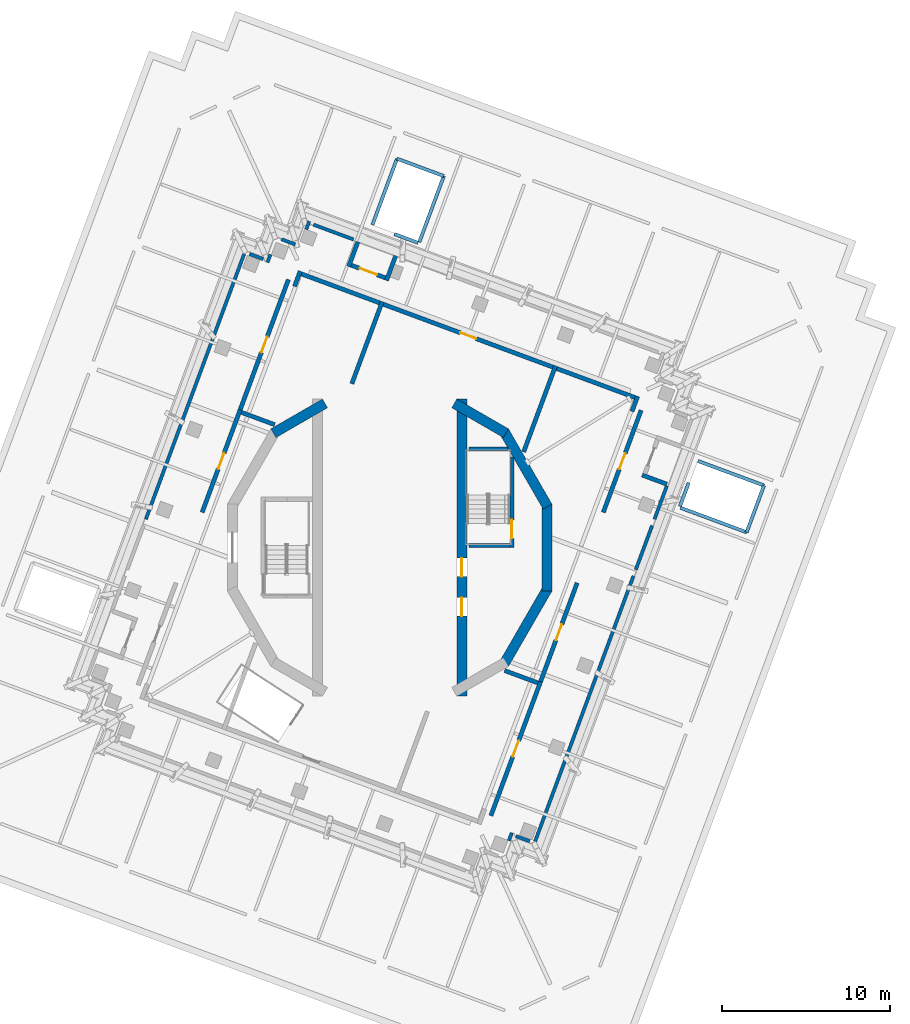
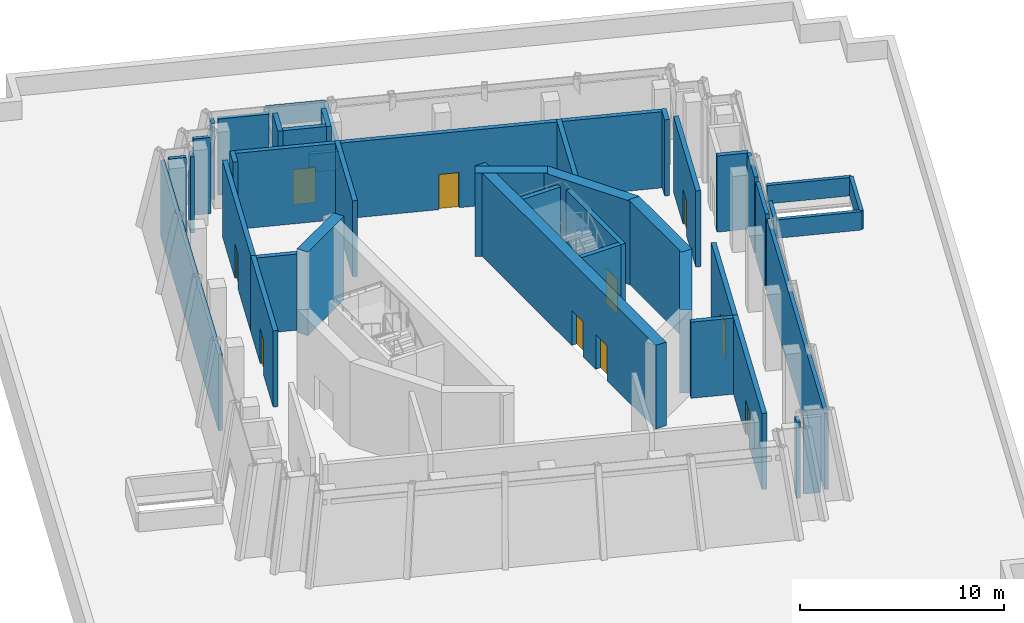
# One storey, part 6 of 12: 46 walls, 10 doors, 10 openings.
"""IFC4 building model written with IfcOpenShell, lengths in metres."""

import ifcopenshell
import ifcopenshell.guid

model = None  # the IFC model being written
_history = None  # IfcOwnerHistory: only IFC2X3 demands one
_inside = {}  # id of a spatial element -> (the spatial element, [elements in it])
_under = {}  # id of a project, library or spatial element -> (it, [spatial elements below it])
_declared = {}  # id of a project -> (the project, [libraries it declares])
_typed = {}  # id of a type object -> (the type object, [elements of that type])
_made_of = {}  # id of a material, layer set ... -> (it, [elements and type objects made of it])


def new_model(schema):
    """Start an empty IFC model of exactly this schema.

    Asked for "IFC4X3", IfcOpenShell would pick the latest addendum, in which some entities
    have other attributes; the version numbers below select the first issue.
    IFC2X3 requires an IfcOwnerHistory on every rooted entity: one is made here for all.
    """
    global model, _history
    if schema == "IFC4X3":
        model = ifcopenshell.file(schema_version=(4, 3, 0, 0))
    else:
        model = ifcopenshell.file(schema=schema)
    _inside.clear()
    _under.clear()
    _declared.clear()
    _typed.clear()
    _made_of.clear()
    _history = None
    if model.schema == "IFC2X3":
        org = make("IfcOrganization", Name="unknown")
        user = make(
            "IfcPersonAndOrganization",
            ThePerson=make("IfcPerson", FamilyName="unknown"),
            TheOrganization=org,
        )
        app = make(
            "IfcApplication",
            ApplicationDeveloper=org,
            Version="unknown",
            ApplicationFullName="unknown",
            ApplicationIdentifier="unknown",
        )
        _history = make(
            "IfcOwnerHistory",
            OwningUser=user,
            OwningApplication=app,
            ChangeAction="ADDED",
            CreationDate=0,
        )
    return model


def make(cls, **values):
    """One entity of the class cls with the attributes given. An attribute that is None is left unset."""
    return model.create_entity(
        cls, **{name: value for name, value in values.items() if value is not None}
    )


def rooted(cls, **values):
    """An entity with a GlobalId (a new one), such as an element, a storey or a relation."""
    return make(cls, GlobalId=ifcopenshell.guid.new(), OwnerHistory=_history, **values)


def si_unit(unit_type, name, prefix=None):
    """IfcSIUnit, for example si_unit("LENGTHUNIT", "METRE", prefix="MILLI")."""
    return make("IfcSIUnit", UnitType=unit_type, Prefix=prefix, Name=name)


def assignment(units):
    """IfcUnitAssignment: the units of a project."""
    return None if units is None else make("IfcUnitAssignment", Units=units)


def point(xyz):
    """IfcCartesianPoint."""
    return None if xyz is None else make("IfcCartesianPoint", Coordinates=xyz)


def direction(xyz):
    """IfcDirection."""
    return None if xyz is None else make("IfcDirection", DirectionRatios=xyz)


def frame(location, z_axis=None, x_axis=None):
    """IfcAxis2Placement3D, a coordinate frame: its origin and axes. An axis left out is left unset."""
    return make(
        "IfcAxis2Placement3D",
        Location=point(location),
        Axis=direction(z_axis),
        RefDirection=direction(x_axis),
    )


def frame_2d(location, x_axis=None):
    """IfcAxis2Placement2D, a coordinate frame in the plane: its origin and x axis."""
    return make(
        "IfcAxis2Placement2D", Location=point(location), RefDirection=direction(x_axis)
    )


def origin():
    """The frame at (0, 0, 0) with its axes left unset."""
    return frame((0.0, 0.0, 0.0))


def place(relative_to, where):
    """IfcLocalPlacement: puts the frame where relative to a parent placement (None: the world)."""
    return make(
        "IfcLocalPlacement", PlacementRelTo=relative_to, RelativePlacement=where
    )


def context(
    kind, dimensions, precision=None, world=None, true_north=None, identifier=None
):
    """IfcGeometricRepresentationContext, for example the 3D "Model" context."""
    return make(
        "IfcGeometricRepresentationContext",
        ContextIdentifier=identifier,
        ContextType=kind,
        CoordinateSpaceDimension=dimensions,
        Precision=precision,
        WorldCoordinateSystem=world,
        TrueNorth=true_north,
    )


def subcontext(parent, identifier, kind, view, scale=None):
    """IfcGeometricRepresentationSubContext, for example "Body" below "Model"."""
    return make(
        "IfcGeometricRepresentationSubContext",
        ContextIdentifier=identifier,
        ContextType=kind,
        ParentContext=parent,
        TargetScale=scale,
        TargetView=view,
    )


def project(units=None, contexts=None):
    """IfcProject with its units and contexts."""
    return rooted(
        "IfcProject",
        Name="project",
        RepresentationContexts=contexts,
        UnitsInContext=assignment(units),
    )


def spatial(cls, under=None, at=None, **own):
    """A site, building, storey or space (cls), placed at a placement, below another one or the project."""
    s = rooted(cls, ObjectPlacement=at, **own)
    if under is not None:
        _under.setdefault(under.id(), (under, []))[1].append(s)
    return s


def profile(cls, at=None, kind="AREA", **sizes):
    """A parametric profile (cls). Its sizes go by their IFC names, for example OverallWidth=200.0."""
    return make(cls, ProfileType=kind, Position=at, **sizes)


def rectangle(**sizes):
    """IfcRectangleProfileDef."""
    return profile("IfcRectangleProfileDef", **sizes)


def extrude(swept, where, along, depth):
    """IfcExtrudedAreaSolid: the profile swept, set in the frame where, extruded along a direction by depth."""
    return make(
        "IfcExtrudedAreaSolid",
        SweptArea=swept,
        Position=where,
        ExtrudedDirection=direction(along),
        Depth=depth,
    )


def shape(context_of_items, identifier, shape_type, items):
    """IfcShapeRepresentation: the items that make up one representation, for example the "Body"."""
    return make(
        "IfcShapeRepresentation",
        ContextOfItems=context_of_items,
        RepresentationIdentifier=identifier,
        RepresentationType=shape_type,
        Items=items,
    )


def material(Name=None, Category=None):
    """IfcMaterial."""
    return make("IfcMaterial", Name=Name, Category=Category)


def layer(
    of_material, thickness, ventilated=None, Name=None, Category=None, Priority=None
):
    """IfcMaterialLayer: one layer of a wall or slab, of a material (None: an air gap)."""
    return make(
        "IfcMaterialLayer",
        Material=of_material,
        LayerThickness=thickness,
        IsVentilated=ventilated,
        Name=Name,
        Category=Category,
        Priority=Priority,
    )


def layer_set(layers, Name=None):
    """IfcMaterialLayerSet."""
    return make("IfcMaterialLayerSet", MaterialLayers=layers, LayerSetName=Name)


def made_of(thing, what):
    """Note that an element or type object is made of a material, layer set ...; save() writes the relation."""
    if what is not None:
        _made_of.setdefault(what.id(), (what, []))[1].append(thing)
    return thing


def type_object(cls, material=None, **own):
    """A type object (cls), such as IfcWallType, which elements share."""
    return made_of(rooted(cls, **own), material)


def element(
    cls,
    number,
    at=None,
    inside=None,
    cuts=None,
    type_object=None,
    material=None,
    context=None,
    identifier="Body",
    shape_type=None,
    held_by="IfcProductDefinitionShape",
    body=None,
    shapes=None,
    **own,
):
    """One element of the class cls, such as IfcWall. Its Tag is "e" and its number.

    at: its placement. inside: the storey or other place that contains it. cuts: it is an
    opening in that element (IfcRelVoidsElement). A single representation is given by context,
    identifier, shape_type and body (its items); several are given by shapes. held_by: the class
    of the entity that holds the representations. save() writes the other relations.
    """
    e = rooted(cls, Tag="e%d" % number, ObjectPlacement=at, **own)
    if body is not None:
        shapes = [shape(context, identifier, shape_type, body)]
    if shapes is not None:
        e.Representation = make(held_by, Representations=shapes)
    if inside is not None:
        _inside.setdefault(inside.id(), (inside, []))[1].append(e)
    if cuts is not None:
        rooted(
            "IfcRelVoidsElement", RelatingBuildingElement=cuts, RelatedOpeningElement=e
        )
    if type_object is not None:
        _typed.setdefault(type_object.id(), (type_object, []))[1].append(e)
    return made_of(e, material)


def fill(opening, filler):
    """IfcRelFillsElement: the door or window that sits in an opening."""
    return rooted(
        "IfcRelFillsElement",
        RelatingOpeningElement=opening,
        RelatedBuildingElement=filler,
    )


def aggregate(whole, parts):
    """IfcRelAggregates: a whole, such as a stair, and the parts it consists of."""
    return rooted("IfcRelAggregates", RelatingObject=whole, RelatedObjects=parts)


def save(model, path):
    """Write the relations noted so far, then the file.

    IfcRelAggregates (storeys below a building ...), IfcRelContainedInSpatialStructure (elements
    in a storey), IfcRelDefinesByType, IfcRelAssociatesMaterial and IfcRelDeclares: one each for
    every whole, place, type object, material and project.
    """
    for whole, parts in _under.values():
        aggregate(whole, parts)
    for where, things in _inside.values():
        rooted(
            "IfcRelContainedInSpatialStructure",
            RelatedElements=things,
            RelatingStructure=where,
        )
    for kind, things in _typed.values():
        rooted("IfcRelDefinesByType", RelatedObjects=things, RelatingType=kind)
    for what, things in _made_of.values():
        rooted("IfcRelAssociatesMaterial", RelatedObjects=things, RelatingMaterial=what)
    for by, libraries in _declared.values():
        rooted("IfcRelDeclares", RelatingContext=by, RelatedDefinitions=libraries)
    model.write(path)


model = new_model("IFC4")

# Units and contexts
model_context = context("Model", 3, precision=1e-05, world=origin(), true_north=direction((0.0, 1.0)))
body_context = subcontext(model_context, "Body", "Model", "MODEL_VIEW")
ifc_project = project(units=[si_unit("LENGTHUNIT", "METRE"), si_unit("AREAUNIT", "SQUARE_METRE"), si_unit("VOLUMEUNIT", "CUBIC_METRE"), si_unit("PLANEANGLEUNIT", "RADIAN"), si_unit("MASSUNIT", "GRAM", prefix="KILO")], contexts=[model_context])

# Site, building, storey
site_placement = place(None, origin())
site = spatial("IfcSite", under=ifc_project, at=site_placement, CompositionType="ELEMENT")
building_placement = place(site_placement, origin())
building = spatial("IfcBuilding", under=site, at=building_placement, Name="Cantera Rosa Tower", CompositionType="ELEMENT")
storey_placement = place(building_placement, frame((0.0, 0.0, 345.699951171875)))
storey = spatial("IfcBuildingStorey", under=building, at=storey_placement, Name="L78", CompositionType="ELEMENT", Elevation=345.699951171875)

# Walls
ifc_material_1 = material(Name="Masonry blockwork", Category="masonry")
ifc_layer_1 = layer(ifc_material_1, 0.199951171875)
ifc_layer_set_1 = layer_set([ifc_layer_1], Name="Blockwork partition 200")
wall_type_1 = type_object("IfcWallType", Name="Blockwork partition 200", PredefinedType="PARTITIONING", material=ifc_layer_set_1)
wall_1_placement = place(storey_placement, frame((-4.96337890625, 18.94140625, 0.0), z_axis=(0.0, 0.0, 1.0), x_axis=(0.347391322771, 0.937720250855, 0.0)))
element("IfcWall", 1, at=wall_1_placement, inside=storey, type_object=wall_type_1, Name="Partition L78-27", PredefinedType="PARTITIONING", context=body_context, shape_type="SweptSolid", body=[
    extrude(rectangle(XDim=0.5166015625, YDim=0.199951171875, at=frame_2d((0.25830078125, 0.0))), origin(), (0.0, 0.0, 1.0), 4.550048828125),
])
wall_2_placement = place(storey_placement, frame((-7.273681640625, 16.978515625, 0.0), z_axis=(0.0, 0.0, 1.0), x_axis=(0.347647820555, 0.937625187836, 0.0)))
element("IfcWall", 2, at=wall_2_placement, inside=storey, type_object=wall_type_1, Name="Partition L78-32", PredefinedType="PARTITIONING", context=body_context, shape_type="SweptSolid", body=[
    extrude(rectangle(XDim=0.500732421875, YDim=0.199951171875, at=frame_2d((0.25048828125, 0.0))), origin(), (0.0, 0.0, 1.0), 4.550048828125),
])
wall_3_placement = place(storey_placement, frame((8.341552734375, -17.480712890625, 0.0), z_axis=(0.0, 0.0, 1.0), x_axis=(-0.937735373465, 0.347350499283, 0.0)))
element("IfcWall", 3, at=wall_3_placement, inside=storey, type_object=wall_type_1, Name="Partition L78-33", PredefinedType="PARTITIONING", context=body_context, shape_type="SweptSolid", body=[
    extrude(rectangle(XDim=0.8798828125, YDim=0.199951171875, at=frame_2d((0.43994140625, 0.0))), origin(), (0.0, 0.0, 1.0), 4.550048828125),
])
wall_4_placement = place(storey_placement, frame((-14.513916015625, 1.6875, 0.0), z_axis=(0.0, 0.0, 1.0), x_axis=(0.347469570456, 0.937691259214, 0.0)))
element("IfcWall", 4, at=wall_4_placement, inside=storey, type_object=wall_type_1, Name="Partition L78-38", PredefinedType="PARTITIONING", context=body_context, shape_type="SweptSolid", body=[
    extrude(rectangle(XDim=16.853759765625, YDim=0.199951171875, at=frame_2d((8.4267578125, 0.0))), origin(), (0.0, 0.0, 1.0), 4.550048828125),
])
wall_5_placement = place(storey_placement, frame((-7.52001953125, 17.176513671875, 0.0), z_axis=(0.0, 0.0, 1.0), x_axis=(-0.937775651537, 0.347241741996, 0.0)))
element("IfcWall", 5, at=wall_5_placement, inside=storey, type_object=wall_type_1, Name="Partition L78-42", PredefinedType="PARTITIONING", context=body_context, shape_type="SweptSolid", body=[
    extrude(rectangle(XDim=0.8759765625, YDim=0.199951171875, at=frame_2d((0.43798828125, 0.0))), origin(), (0.0, 0.0, 1.0), 4.550048828125),
])
wall_6_placement = place(storey_placement, frame((-5.6142578125, 18.048583984375, 0.0), z_axis=(0.0, 0.0, 1.0), x_axis=(-0.937695442281, 0.347458281705, 0.0)))
element("IfcWall", 6, at=wall_6_placement, inside=storey, type_object=wall_type_1, Name="Partition L78-45", PredefinedType="PARTITIONING", context=body_context, shape_type="SweptSolid", body=[
    extrude(rectangle(XDim=0.884033203125, YDim=0.199951171875, at=frame_2d((0.44189453125, 0.0))), origin(), (0.0, 0.0, 1.0), 4.550048828125),
])
wall_7_placement = place(storey_placement, frame((-2.159423828125, 18.3466796875, 0.0), z_axis=(0.0, 0.0, 1.0), x_axis=(-0.937698814504, 0.347449180857, 0.0)))
element("IfcWall", 7, at=wall_7_placement, inside=storey, type_object=wall_type_1, Name="Partition L78-47", PredefinedType="PARTITIONING", context=body_context, shape_type="SweptSolid", body=[
    extrude(rectangle(XDim=2.535888671875, YDim=0.199951171875, at=frame_2d((1.26806640625, 0.0))), origin(), (0.0, 0.0, 1.0), 4.550048828125),
])
wall_8_placement = place(storey_placement, frame((7.095703125, -17.44677734375, 0.0), z_axis=(0.0, 0.0, 1.0), x_axis=(0.347488953483, 0.937684076439, 0.0)))
element("IfcWall", 8, at=wall_8_placement, inside=storey, type_object=wall_type_1, Name="Partition L78-50", PredefinedType="PARTITIONING", context=body_context, shape_type="SweptSolid", body=[
    extrude(rectangle(XDim=0.5009765625, YDim=0.199951171875, at=frame_2d((0.25048828125, 0.0))), origin(), (0.0, 0.0, 1.0), 4.550048828125),
])
wall_9_placement = place(storey_placement, frame((8.65771484375, -17.4912109375, 0.0), z_axis=(0.0, 0.0, 1.0), x_axis=(0.347469570456, 0.937691259214, 0.0)))
element("IfcWall", 9, at=wall_9_placement, inside=storey, type_object=wall_type_1, Name="Partition L78-53", PredefinedType="PARTITIONING", context=body_context, shape_type="SweptSolid", body=[
    extrude(rectangle(XDim=16.853759765625, YDim=0.199951171875, at=frame_2d((8.4267578125, 0.0))), origin(), (0.0, 0.0, 1.0), 4.550048828125),
])
wall_10_placement = place(storey_placement, frame((14.653076171875, -1.3125, 0.0), z_axis=(0.0, 0.0, 1.0), x_axis=(0.347450692477, 0.937698254396, 0.0)))
element("IfcWall", 10, at=wall_10_placement, inside=storey, type_object=wall_type_1, Name="Partition L78-54", PredefinedType="PARTITIONING", context=body_context, shape_type="SweptSolid", body=[
    extrude(rectangle(XDim=2.79931640625, YDim=0.199951171875, at=frame_2d((1.399658203125, 0.0))), origin(), (0.0, 0.0, 1.0), 4.550048828125),
])
wall_11_placement = place(storey_placement, frame((15.7646484375, 1.6875, 0.0), z_axis=(0.0, 0.0, 1.0), x_axis=(0.347502354317, 0.937679110221, 0.0)))
element("IfcWall", 11, at=wall_11_placement, inside=storey, type_object=wall_type_1, Name="Partition L78-55", PredefinedType="PARTITIONING", context=body_context, shape_type="SweptSolid", body=[
    extrude(rectangle(XDim=2.11474609375, YDim=0.199951171875, at=frame_2d((1.057373046875, 0.0))), origin(), (0.0, 0.0, 1.0), 4.550048828125),
])
ifc_material_2 = material(Name="Masonry blockwork", Category="masonry")
ifc_layer_2 = layer(ifc_material_2, 0.25)
ifc_layer_set_2 = layer_set([ifc_layer_2], Name="Fire-rated wall 250")
wall_type_2 = type_object("IfcWallType", Name="Fire-rated wall 250", PredefinedType="PARTITIONING", material=ifc_layer_set_2)
wall_12_placement = place(storey_placement, frame((-2.2490234375, 9.75927734375, 0.0), z_axis=(0.0, 0.0, 1.0), x_axis=(0.347483812333, 0.937685981641, 0.0)))
element("IfcWall", 12, at=wall_12_placement, inside=storey, type_object=wall_type_2, Name="Fire wall L78-2", PredefinedType="PARTITIONING", context=body_context, shape_type="SweptSolid", body=[
    extrude(rectangle(XDim=5.208251953125, YDim=0.25, at=frame_2d((2.60400390625, 0.0))), origin(), (0.0, 0.0, 1.0), 4.550048828125),
])
wall_13_placement = place(storey_placement, frame((-5.6591796875, 15.5546875, 0.0), z_axis=(0.0, 0.0, 1.0), x_axis=(0.347438702841, 0.937702696897, 0.0)))
element("IfcWall", 13, at=wall_13_placement, inside=storey, type_object=wall_type_2, Name="Fire wall L78-7", PredefinedType="PARTITIONING", context=body_context, shape_type="SweptSolid", body=[
    extrude(rectangle(XDim=0.959228515625, YDim=0.25, at=frame_2d((0.4794921875, 0.0))), origin(), (0.0, 0.0, 1.0), 4.550048828125),
])

# Wall, opening, door
wall_14_placement = place(storey_placement, frame((-11.161865234375, 2.10009765625, 0.0), z_axis=(0.0, 0.0, 1.0), x_axis=(0.347492445118, 0.937682782494, 0.0)))
wall_14 = element("IfcWall", 14, at=wall_14_placement, inside=storey, type_object=wall_type_2, Name="Fire wall L78-9", PredefinedType="PARTITIONING", context=body_context, shape_type="SweptSolid", body=[
    extrude(rectangle(XDim=6.5185546875, YDim=0.25, at=frame_2d((3.25927734375, 0.0))), origin(), (0.0, 0.0, 1.0), 4.550048828125),
])
opening_1_placement = place(wall_14_placement, frame((2.75927734375, 0.0, 0.0)))
opening_1 = element("IfcOpeningElement", 15, at=opening_1_placement, cuts=wall_14, Name="Opening L78-002", PredefinedType="OPENING", context=body_context, shape_type="SweptSolid", body=[
    extrude(rectangle(XDim=1.0, YDim=2.10009765625, at=frame_2d((0.5, 1.050048828125))), frame((0.0, 0.135009765625, 0.0), z_axis=(0.0, -1.0, 0.0), x_axis=(1.0, 0.0, 0.0)), (0.0, 0.0, 1.0), 0.27001953125),
])
ifc_material_3 = material(Name="Steel S355J2 (EN 10025-2)", Category="steel")
door_type_1 = type_object("IfcDoorType", Name="Fire door 1000x2100", OperationType="NOTDEFINED", PredefinedType="DOOR", material=ifc_material_3)
door_1_placement = place(opening_1_placement, origin())
door_1 = element("IfcDoor", 16, at=door_1_placement, inside=storey, type_object=door_type_1, Name="Door L78-002", OverallHeight=2.10009765625, OverallWidth=1.0, PredefinedType="DOOR", context=body_context, shape_type="SweptSolid", body=[
    extrude(rectangle(XDim=1.0, YDim=2.10009765625, at=frame_2d((0.5, 1.050048828125))), frame((0.0, 0.02490234375, 0.0), z_axis=(0.0, -1.0, 0.0), x_axis=(1.0, 0.0, 0.0)), (0.0, 0.0, 1.0), 0.050048828125),
])
fill(opening_1, door_1)

wall_15_placement = place(storey_placement, frame((-8.896728515625, 8.21240234375, 0.0), z_axis=(0.0, 0.0, 1.0), x_axis=(0.347479930391, 0.937687420186, 0.0)))
wall_15 = element("IfcWall", 17, at=wall_15_placement, inside=storey, type_object=wall_type_2, Name="Fire wall L78-10", PredefinedType="PARTITIONING", context=body_context, shape_type="SweptSolid", body=[
    extrude(rectangle(XDim=8.259765625, YDim=0.25, at=frame_2d((4.1298828125, 0.0))), origin(), (0.0, 0.0, 1.0), 4.550048828125),
])
opening_2_placement = place(wall_15_placement, frame((3.6298828125, 0.0, 0.0)))
opening_2 = element("IfcOpeningElement", 18, at=opening_2_placement, cuts=wall_15, Name="Opening L78-003", PredefinedType="OPENING", context=body_context, shape_type="SweptSolid", body=[
    extrude(rectangle(XDim=1.0, YDim=2.10009765625, at=frame_2d((0.5, 1.050048828125))), frame((0.0, 0.135009765625, 0.0), z_axis=(0.0, -1.0, 0.0), x_axis=(1.0, 0.0, 0.0)), (0.0, 0.0, 1.0), 0.27001953125),
])
door_2_placement = place(opening_2_placement, origin())
door_2 = element("IfcDoor", 19, at=door_2_placement, inside=storey, type_object=door_type_1, Name="Door L78-003", OverallHeight=2.10009765625, OverallWidth=1.0, PredefinedType="DOOR", context=body_context, shape_type="SweptSolid", body=[
    extrude(rectangle(XDim=1.0, YDim=2.10009765625, at=frame_2d((0.5, 1.050048828125))), frame((0.0, 0.02490234375, 0.0), z_axis=(0.0, -1.0, 0.0), x_axis=(1.0, 0.0, 0.0)), (0.0, 0.0, 1.0), 0.050048828125),
])
fill(opening_2, door_2)

# Walls
wall_16_placement = place(storey_placement, frame((-6.843017578125, 7.318115234375, 0.0), z_axis=(0.0, 0.0, 1.0), x_axis=(-0.937699936096, 0.34744615388, 0.0)))
element("IfcWall", 20, at=wall_16_placement, inside=storey, type_object=wall_type_2, Name="Fire wall L78-11", PredefinedType="PARTITIONING", context=body_context, shape_type="SweptSolid", body=[
    extrude(rectangle(XDim=2.111572265625, YDim=0.25, at=frame_2d((1.0556640625, 0.0))), origin(), (0.0, 0.0, 1.0), 4.550048828125),
])
wall_17_placement = place(storey_placement, frame((14.6015625, 8.93603515625, 0.0), z_axis=(0.0, 0.0, 1.0), x_axis=(-0.937681076424, 0.347497048788, 0.0)))
element("IfcWall", 21, at=wall_17_placement, inside=storey, type_object=wall_type_2, Name="Fire wall L78-12", PredefinedType="PARTITIONING", context=body_context, shape_type="SweptSolid", body=[
    extrude(rectangle(XDim=4.96142578125, YDim=0.25, at=frame_2d((2.480712890625, 0.0))), origin(), (0.0, 0.0, 1.0), 4.550048828125),
])

# Wall, opening, door
wall_18_placement = place(storey_placement, frame((9.714599609375, 10.7470703125, 0.0), z_axis=(0.0, 0.0, 1.0), x_axis=(-0.93768847637, 0.347477080228, 0.0)))
wall_18 = element("IfcWall", 22, at=wall_18_placement, inside=storey, type_object=wall_type_2, Name="Fire wall L78-13", PredefinedType="PARTITIONING", context=body_context, shape_type="SweptSolid", body=[
    extrude(rectangle(XDim=10.75, YDim=0.25, at=frame_2d((5.375, 0.0))), origin(), (0.0, 0.0, 1.0), 4.550048828125),
])
opening_3_placement = place(wall_18_placement, frame((4.875, 0.0, 0.0)))
opening_3 = element("IfcOpeningElement", 23, at=opening_3_placement, cuts=wall_18, Name="Opening L78-004", PredefinedType="OPENING", context=body_context, shape_type="SweptSolid", body=[
    extrude(rectangle(XDim=1.0, YDim=2.10009765625, at=frame_2d((0.5, 1.050048828125))), frame((0.0, 0.135009765625, 0.0), z_axis=(0.0, -1.0, 0.0), x_axis=(1.0, 0.0, 0.0)), (0.0, 0.0, 1.0), 0.27001953125),
])
door_3_placement = place(opening_3_placement, origin())
door_3 = element("IfcDoor", 24, at=door_3_placement, inside=storey, type_object=door_type_1, Name="Door L78-004", OverallHeight=2.10009765625, OverallWidth=1.0, PredefinedType="DOOR", context=body_context, shape_type="SweptSolid", body=[
    extrude(rectangle(XDim=1.0, YDim=2.10009765625, at=frame_2d((0.5, 1.050048828125))), frame((0.0, 0.02490234375, 0.0), z_axis=(0.0, -1.0, 0.0), x_axis=(1.0, 0.0, 0.0)), (0.0, 0.0, 1.0), 0.050048828125),
])
fill(opening_3, door_3)

# Walls
wall_19_placement = place(storey_placement, frame((-0.599853515625, 14.5693359375, 0.0), z_axis=(0.0, 0.0, 1.0), x_axis=(-0.93769710925, 0.347453782977, 0.0)))
element("IfcWall", 25, at=wall_19_placement, inside=storey, type_object=wall_type_2, Name="Fire wall L78-14", PredefinedType="PARTITIONING", context=body_context, shape_type="SweptSolid", body=[
    extrude(rectangle(XDim=4.96142578125, YDim=0.25, at=frame_2d((2.480712890625, 0.0))), origin(), (0.0, 0.0, 1.0), 4.550048828125),
])
wall_20_placement = place(storey_placement, frame((7.977783203125, 5.7001953125, 0.0), z_axis=(0.0, 0.0, 1.0), x_axis=(0.347505093583, 0.937678095049, 0.0)))
element("IfcWall", 26, at=wall_20_placement, inside=storey, type_object=wall_type_2, Name="Fire wall L78-16", PredefinedType="PARTITIONING", context=body_context, shape_type="SweptSolid", body=[
    extrude(rectangle(XDim=5.4609375, YDim=0.25, at=frame_2d((2.73046875, 0.0))), origin(), (0.0, 0.0, 1.0), 4.550048828125),
])
wall_21_placement = place(storey_placement, frame((14.428955078125, 8.110595703125, 0.0), z_axis=(0.0, 0.0, 1.0), x_axis=(0.347438702841, 0.937702696897, 0.0)))
element("IfcWall", 27, at=wall_21_placement, inside=storey, type_object=wall_type_2, Name="Fire wall L78-18", PredefinedType="PARTITIONING", context=body_context, shape_type="SweptSolid", body=[
    extrude(rectangle(XDim=0.959228515625, YDim=0.25, at=frame_2d((0.4794921875, 0.0))), origin(), (0.0, 0.0, 1.0), 4.550048828125),
])
wall_22_placement = place(storey_placement, frame((8.822998046875, -8.0517578125, 0.0), z_axis=(0.0, 0.0, 1.0), x_axis=(-0.937699936096, 0.34744615388, 0.0)))
element("IfcWall", 28, at=wall_22_placement, inside=storey, type_object=wall_type_2, Name="Fire wall L78-19", PredefinedType="PARTITIONING", context=body_context, shape_type="SweptSolid", body=[
    extrude(rectangle(XDim=2.111572265625, YDim=0.25, at=frame_2d((1.0556640625, 0.0))), origin(), (0.0, 0.0, 1.0), 4.550048828125),
])

# Wall, opening, door
wall_23_placement = place(storey_placement, frame((6.026611328125, -15.95751953125, 0.0), z_axis=(0.0, 0.0, 1.0), x_axis=(0.347486278874, 0.937685067597, 0.0)))
wall_23 = element("IfcWall", 29, at=wall_23_placement, inside=storey, type_object=wall_type_2, Name="Fire wall L78-20", PredefinedType="PARTITIONING", context=body_context, shape_type="SweptSolid", body=[
    extrude(rectangle(XDim=8.509765625, YDim=0.25, at=frame_2d((4.2548828125, 0.0))), origin(), (0.0, 0.0, 1.0), 4.550048828125),
])
opening_4_placement = place(wall_23_placement, frame((3.7548828125, 0.0, 0.0)))
opening_4 = element("IfcOpeningElement", 30, at=opening_4_placement, cuts=wall_23, Name="Opening L78-005", PredefinedType="OPENING", context=body_context, shape_type="SweptSolid", body=[
    extrude(rectangle(XDim=1.0, YDim=2.10009765625, at=frame_2d((0.5, 1.050048828125))), frame((0.0, 0.135009765625, 0.0), z_axis=(0.0, -1.0, 0.0), x_axis=(1.0, 0.0, 0.0)), (0.0, 0.0, 1.0), 0.27001953125),
])
door_4_placement = place(opening_4_placement, origin())
door_4 = element("IfcDoor", 31, at=door_4_placement, inside=storey, type_object=door_type_1, Name="Door L78-005", OverallHeight=2.10009765625, OverallWidth=1.0, PredefinedType="DOOR", context=body_context, shape_type="SweptSolid", body=[
    extrude(rectangle(XDim=1.0, YDim=2.10009765625, at=frame_2d((0.5, 1.050048828125))), frame((0.0, 0.02490234375, 0.0), z_axis=(0.0, -1.0, 0.0), x_axis=(1.0, 0.0, 0.0)), (0.0, 0.0, 1.0), 0.050048828125),
])
fill(opening_4, door_4)

wall_24_placement = place(storey_placement, frame((8.983642578125, -7.97802734375, 0.0), z_axis=(0.0, 0.0, 1.0), x_axis=(0.347484325894, 0.937685791328, 0.0)))
wall_24 = element("IfcWall", 32, at=wall_24_placement, inside=storey, type_object=wall_type_2, Name="Fire wall L78-21", PredefinedType="PARTITIONING", context=body_context, shape_type="SweptSolid", body=[
    extrude(rectangle(XDim=6.2685546875, YDim=0.25, at=frame_2d((3.13427734375, 0.0))), origin(), (0.0, 0.0, 1.0), 4.550048828125),
])
opening_5_placement = place(wall_24_placement, frame((2.63427734375, 0.0, 0.0)))
opening_5 = element("IfcOpeningElement", 33, at=opening_5_placement, cuts=wall_24, Name="Opening L78-006", PredefinedType="OPENING", context=body_context, shape_type="SweptSolid", body=[
    extrude(rectangle(XDim=1.0, YDim=2.10009765625, at=frame_2d((0.5, 1.050048828125))), frame((0.0, 0.135009765625, 0.0), z_axis=(0.0, -1.0, 0.0), x_axis=(1.0, 0.0, 0.0)), (0.0, 0.0, 1.0), 0.27001953125),
])
door_5_placement = place(opening_5_placement, origin())
door_5 = element("IfcDoor", 34, at=door_5_placement, inside=storey, type_object=door_type_1, Name="Door L78-006", OverallHeight=2.10009765625, OverallWidth=1.0, PredefinedType="DOOR", context=body_context, shape_type="SweptSolid", body=[
    extrude(rectangle(XDim=1.0, YDim=2.10009765625, at=frame_2d((0.5, 1.050048828125))), frame((0.0, 0.02490234375, 0.0), z_axis=(0.0, -1.0, 0.0), x_axis=(1.0, 0.0, 0.0)), (0.0, 0.0, 1.0), 0.050048828125),
])
fill(opening_5, door_5)

wall_25_placement = place(storey_placement, frame((12.71826171875, 2.10009765625, 0.0), z_axis=(0.0, 0.0, 1.0), x_axis=(0.347475093696, 0.937689212512, 0.0)))
wall_25 = element("IfcWall", 35, at=wall_25_placement, inside=storey, type_object=wall_type_2, Name="Fire wall L78-22", PredefinedType="PARTITIONING", context=body_context, shape_type="SweptSolid", body=[
    extrude(rectangle(XDim=6.480224609375, YDim=0.25, at=frame_2d((3.240234375, 0.0))), origin(), (0.0, 0.0, 1.0), 4.550048828125),
])
opening_6_placement = place(wall_25_placement, frame((2.740234375, 0.0, 0.0)))
opening_6 = element("IfcOpeningElement", 36, at=opening_6_placement, cuts=wall_25, Name="Opening L78-007", PredefinedType="OPENING", context=body_context, shape_type="SweptSolid", body=[
    extrude(rectangle(XDim=1.0, YDim=2.10009765625, at=frame_2d((0.5, 1.050048828125))), frame((0.0, 0.135009765625, 0.0), z_axis=(0.0, -1.0, 0.0), x_axis=(1.0, 0.0, 0.0)), (0.0, 0.0, 1.0), 0.27001953125),
])
door_6_placement = place(opening_6_placement, origin())
door_6 = element("IfcDoor", 37, at=door_6_placement, inside=storey, type_object=door_type_1, Name="Door L78-007", OverallHeight=2.10009765625, OverallWidth=1.0, PredefinedType="DOOR", context=body_context, shape_type="SweptSolid", body=[
    extrude(rectangle(XDim=1.0, YDim=2.10009765625, at=frame_2d((0.5, 1.050048828125))), frame((0.0, 0.02490234375, 0.0), z_axis=(0.0, -1.0, 0.0), x_axis=(1.0, 0.0, 0.0)), (0.0, 0.0, 1.0), 0.050048828125),
])
fill(opening_6, door_6)

# Walls
ifc_material_4 = material(Name="Concrete C50/60", Category="concrete")
ifc_layer_3 = layer(ifc_material_4, 0.60009765625)
ifc_layer_set_3 = layer_set([ifc_layer_3], Name="RC CORE WALL 600 C50/60")
wall_type_3 = type_object("IfcWallType", Name="RC CORE WALL 600 C50/60", PredefinedType="SHEAR", material=ifc_layer_set_3)
for number, where, z_axis, x_axis, name in (
    (38, (-6.921142578125, 6.811279296875, 0.0), (0.0, 0.0, 1.0), (0.866039982607, 0.499974747889, 0.0), "CW-W5 L78"),
    (39, (3.85009765625, 8.584228515625, 0.0), (0.0, 0.0, 1.0), (0.866039982607, -0.499974747889, 0.0), "CW-E1 L78"),
):
    element("IfcWall", number, at=place(storey_placement, frame(where, z_axis=z_axis, x_axis=x_axis)), inside=storey, type_object=wall_type_3, Name=name, PredefinedType="SHEAR", context=body_context, shape_type="SweptSolid", body=[
        extrude(rectangle(XDim=3.546142578125, YDim=0.60009765625, at=frame_2d((1.77294921875, 0.0))), origin(), (0.0, 0.0, 1.0), 5.0),
    ])
for number, where, z_axis, x_axis, name in (
    (40, (6.811279296875, 6.921142578125, 0.0), (0.0, 0.0, 1.0), (0.499989188378, -0.866031645787, 0.0), "CW-E2 L78"),
    (41, (9.359375, 2.588134765625, 0.0), (0.0, 0.0, 1.0), (0.0, -1.0, 0.0), "CW-E3 L78"),
    (42, (9.3994140625, -2.438232421875, 0.0), (0.0, 0.0, 1.0), (-0.499989188378, -0.866031645787, 0.0), "CW-E4 L78"),
):
    element("IfcWall", number, at=place(storey_placement, frame(where, z_axis=z_axis, x_axis=x_axis)), inside=storey, type_object=wall_type_3, Name=name, PredefinedType="SHEAR", context=body_context, shape_type="SweptSolid", body=[
        extrude(rectangle(XDim=5.17626953125, YDim=0.60009765625, at=frame_2d((2.588134765625, 0.0))), origin(), (0.0, 0.0, 1.0), 5.0),
    ])

# Wall, openings, doors
wall_26_placement = place(storey_placement, frame((4.300048828125, -8.84423828125, 0.0), z_axis=(0.0, 0.0, 1.0), x_axis=(0.0, 1.0, 0.0)))
wall_26 = element("IfcWall", 43, at=wall_26_placement, inside=storey, type_object=wall_type_3, Name="CW-E6 L78", PredefinedType="SHEAR", context=body_context, shape_type="SweptSolid", body=[
    extrude(rectangle(XDim=17.6884765625, YDim=0.60009765625, at=frame_2d((8.84423828125, 0.0))), origin(), (0.0, 0.0, 1.0), 5.0),
])
opening_7_placement = place(wall_26_placement, frame((4.76904296875, 0.0, 0.0)))
opening_7 = element("IfcOpeningElement", 44, at=opening_7_placement, cuts=wall_26, Name="Opening LD-FF1-L78", PredefinedType="OPENING", context=body_context, shape_type="SweptSolid", body=[
    extrude(rectangle(XDim=1.10009765625, YDim=2.10009765625, at=frame_2d((0.550048828125, 1.050048828125))), frame((0.0, 0.31005859375, 0.0), z_axis=(0.0, -1.0, 0.0), x_axis=(1.0, 0.0, 0.0)), (0.0, 0.0, 1.0), 0.6201171875),
])
opening_8_placement = place(wall_26_placement, frame((7.119140625, 0.0, 0.0)))
opening_8 = element("IfcOpeningElement", 45, at=opening_8_placement, cuts=wall_26, Name="Opening LD-FF2-L78", PredefinedType="OPENING", context=body_context, shape_type="SweptSolid", body=[
    extrude(rectangle(XDim=1.10009765625, YDim=2.10009765625, at=frame_2d((0.550048828125, 1.050048828125))), frame((0.0, 0.31005859375, 0.0), z_axis=(0.0, -1.0, 0.0), x_axis=(1.0, 0.0, 0.0)), (0.0, 0.0, 1.0), 0.6201171875),
])
ifc_material_5 = material(Name="Steel S355J2 (EN 10025-2)", Category="steel")
door_type_2 = type_object("IfcDoorType", Name="LANDING DOOR 1100x2100", OperationType="NOTDEFINED", PredefinedType="DOOR", material=ifc_material_5)
door_7_placement = place(opening_7_placement, origin())
door_7 = element("IfcDoor", 46, at=door_7_placement, inside=storey, type_object=door_type_2, Name="LANDING DOOR FF1 L78", OperationType="SLIDING_TO_LEFT", OverallHeight=2.10009765625, OverallWidth=1.10009765625, PredefinedType="DOOR", context=body_context, shape_type="SweptSolid", body=[
    extrude(rectangle(XDim=1.10009765625, YDim=2.10009765625, at=frame_2d((0.550048828125, 1.050048828125))), frame((0.0, 0.02490234375, 0.0), z_axis=(0.0, -1.0, 0.0), x_axis=(1.0, 0.0, 0.0)), (0.0, 0.0, 1.0), 0.050048828125),
])
fill(opening_7, door_7)
door_8_placement = place(opening_8_placement, origin())
door_8 = element("IfcDoor", 47, at=door_8_placement, inside=storey, type_object=door_type_2, Name="LANDING DOOR FF2 L78", OperationType="SLIDING_TO_LEFT", OverallHeight=2.10009765625, OverallWidth=1.10009765625, PredefinedType="DOOR", context=body_context, shape_type="SweptSolid", body=[
    extrude(rectangle(XDim=1.10009765625, YDim=2.10009765625, at=frame_2d((0.550048828125, 1.050048828125))), frame((0.0, 0.02490234375, 0.0), z_axis=(0.0, -1.0, 0.0), x_axis=(1.0, 0.0, 0.0)), (0.0, 0.0, 1.0), 0.050048828125),
])
fill(opening_8, door_8)

# Walls
ifc_material_6 = material(Name="Concrete C50/60", Category="concrete")
ifc_layer_4 = layer(ifc_material_6, 0.25)
ifc_layer_set_4 = layer_set([ifc_layer_4], Name="RC stair wall 250 H4550 C50/60")
wall_type_4 = type_object("IfcWallType", Name="RC stair wall 250 H4550", PredefinedType="SOLIDWALL", material=ifc_layer_set_4)
for number, where, z_axis, x_axis, name in (
    (48, (16.50048828125, 3.776611328125, 0.0), (0.0, 0.0, 1.0), (-0.93764332821, 0.347598891057, 0.0), "Stair lobby wall ST-61 L78-B"),
    (49, (-1.89306640625, 18.201904296875, 0.0), (0.0, 0.0, 1.0), (-0.347598891057, -0.93764332821, 0.0), "Stair lobby wall ST-62 L78-A"),
):
    element("IfcWall", number, at=place(storey_placement, frame(where, z_axis=z_axis, x_axis=x_axis)), inside=storey, type_object=wall_type_4, Name=name, PredefinedType="SOLIDWALL", context=body_context, shape_type="SweptSolid", body=[
        extrude(rectangle(XDim=1.56494140625, YDim=0.25, at=frame_2d((0.782470703125, 0.0))), origin(), (0.0, 0.0, 1.0), 4.550048828125),
    ])
wall_27_placement = place(storey_placement, frame((0.357421875, 17.3681640625, 0.0), z_axis=(0.0, 0.0, 1.0), x_axis=(-0.347548049354, -0.937662174448, 0.0)))
element("IfcWall", 50, at=wall_27_placement, inside=storey, type_object=wall_type_4, Name="Stair lobby wall ST-62 L78-B", PredefinedType="SOLIDWALL", context=body_context, shape_type="SweptSolid", body=[
    extrude(rectangle(XDim=1.565185546875, YDim=0.25, at=frame_2d((0.78271484375, 0.0))), origin(), (0.0, 0.0, 1.0), 4.550048828125),
])

# Wall, opening, door
wall_28_placement = place(storey_placement, frame((-2.5107421875, 16.895263671875, 0.0), z_axis=(0.0, 0.0, 1.0), x_axis=(0.937677617, -0.347506383506, 0.0)))
wall_28 = element("IfcWall", 51, at=wall_28_placement, inside=storey, type_object=wall_type_4, Name="Stair lobby wall ST-62 L78-C", PredefinedType="SOLIDWALL", context=body_context, shape_type="SweptSolid", body=[
    extrude(rectangle(XDim=2.64990234375, YDim=0.25, at=frame_2d((1.324951171875, 0.0))), origin(), (0.0, 0.0, 1.0), 4.550048828125),
])
opening_9_placement = place(wall_28_placement, frame((0.77490234375, 0.0, 0.0)))
opening_9 = element("IfcOpeningElement", 52, at=opening_9_placement, cuts=wall_28, Name="Opening L78-ST-62-LD", PredefinedType="OPENING", context=body_context, shape_type="SweptSolid", body=[
    extrude(rectangle(XDim=1.10009765625, YDim=2.10009765625, at=frame_2d((0.550048828125, 1.050048828125))), frame((0.0, 0.135009765625, 0.0), z_axis=(0.0, -1.0, 0.0), x_axis=(1.0, 0.0, 0.0)), (0.0, 0.0, 1.0), 0.27001953125),
])
ifc_material_7 = material(Name="Steel S355J2 (EN 10025-2)", Category="steel")
door_type_3 = type_object("IfcDoorType", Name="STAIR LOBBY DOOR 1100x2100", OperationType="NOTDEFINED", PredefinedType="DOOR", material=ifc_material_7)
door_9_placement = place(opening_9_placement, origin())
door_9 = element("IfcDoor", 53, at=door_9_placement, inside=storey, type_object=door_type_3, Name="Lobby door ST-62 L78", OverallHeight=2.10009765625, OverallWidth=1.10009765625, PredefinedType="DOOR", context=body_context, shape_type="SweptSolid", body=[
    extrude(rectangle(XDim=1.10009765625, YDim=2.10009765625, at=frame_2d((0.550048828125, 1.050048828125))), frame((0.0, 0.02490234375, 0.0), z_axis=(0.0, -1.0, 0.0), x_axis=(1.0, 0.0, 0.0)), (0.0, 0.0, 1.0), 0.050048828125),
])
fill(opening_9, door_9)

# Walls
ifc_material_8 = material(Name="Concrete C40/50", Category="concrete")
ifc_layer_5 = layer(ifc_material_8, 0.199951171875)
ifc_layer_set_5 = layer_set([ifc_layer_5], Name="Roof parapet 200 H1100")
wall_type_5 = type_object("IfcWallType", Name="Roof parapet 200 H1100", PredefinedType="PARAPET", material=ifc_layer_set_5)
wall_29_placement = place(storey_placement, frame((17.277587890625, 2.448974609375, 0.0), z_axis=(0.0, 0.0, 1.0), x_axis=(0.347499887537, 0.937680024402, 0.0)))
element("IfcWall", 54, at=wall_29_placement, inside=storey, type_object=wall_type_5, Name="STAIR HEAD UPSTAND ST-61 1-1", PredefinedType="PARAPET", context=body_context, shape_type="SweptSolid", body=[
    extrude(rectangle(XDim=1.5, YDim=0.199951171875, at=frame_2d((0.75, 0.0))), origin(), (0.0, 0.0, 1.0), 1.10009765625),
])
wall_30_placement = place(storey_placement, frame((17.31494140625, 2.37109375, 0.0), z_axis=(0.0, 0.0, 1.0), x_axis=(0.937682096729, -0.3474942956, 0.0)))
element("IfcWall", 55, at=wall_30_placement, inside=storey, type_object=wall_type_5, Name="STAIR HEAD UPSTAND ST-61 2-1", PredefinedType="PARAPET", context=body_context, shape_type="SweptSolid", body=[
    extrude(rectangle(XDim=4.197998046875, YDim=0.199951171875, at=frame_2d((2.09912109375, 0.0))), origin(), (0.0, 0.0, 1.0), 1.10009765625),
])
wall_31_placement = place(storey_placement, frame((21.251220703125, 0.912353515625, 0.0), z_axis=(0.0, 0.0, 1.0), x_axis=(0.34744553006, 0.93770016724, 0.0)))
element("IfcWall", 56, at=wall_31_placement, inside=storey, type_object=wall_type_5, Name="STAIR HEAD UPSTAND ST-61 2-2", PredefinedType="PARAPET", context=body_context, shape_type="SweptSolid", body=[
    extrude(rectangle(XDim=2.97021484375, YDim=0.199951171875, at=frame_2d((1.485107421875, 0.0))), origin(), (0.0, 0.0, 1.0), 1.10009765625),
])
wall_32_placement = place(storey_placement, frame((22.283203125, 3.697509765625, 0.0), z_axis=(0.0, 0.0, 1.0), x_axis=(-0.937701045886, 0.347443158725, 0.0)))
element("IfcWall", 57, at=wall_32_placement, inside=storey, type_object=wall_type_5, Name="STAIR HEAD UPSTAND ST-61 2-3", PredefinedType="PARAPET", context=body_context, shape_type="SweptSolid", body=[
    extrude(rectangle(XDim=4.19775390625, YDim=0.199951171875, at=frame_2d((2.098876953125, 0.0))), origin(), (0.0, 0.0, 1.0), 1.10009765625),
])
wall_33_placement = place(storey_placement, frame((1.68505859375, 18.14501953125, 0.0), z_axis=(0.0, 0.0, 1.0), x_axis=(-0.937626981049, 0.347642984121, 0.0)))
element("IfcWall", 58, at=wall_33_placement, inside=storey, type_object=wall_type_5, Name="STAIR HEAD UPSTAND ST-62 1-1", PredefinedType="PARAPET", context=body_context, shape_type="SweptSolid", body=[
    extrude(rectangle(XDim=1.5, YDim=0.199951171875, at=frame_2d((0.75, 0.0))), origin(), (0.0, 0.0, 1.0), 1.10009765625),
])
wall_34_placement = place(storey_placement, frame((1.762939453125, 18.182373046875, 0.0), z_axis=(0.0, 0.0, 1.0), x_axis=(0.347475346394, 0.937689118871, 0.0)))
element("IfcWall", 59, at=wall_34_placement, inside=storey, type_object=wall_type_5, Name="STAIR HEAD UPSTAND ST-62 2-1", PredefinedType="PARAPET", context=body_context, shape_type="SweptSolid", body=[
    extrude(rectangle(XDim=4.197998046875, YDim=0.199951171875, at=frame_2d((2.09912109375, 0.0))), origin(), (0.0, 0.0, 1.0), 1.10009765625),
])
wall_35_placement = place(storey_placement, frame((3.2216796875, 22.118896484375, 0.0), z_axis=(0.0, 0.0, 1.0), x_axis=(-0.937690243436, 0.347472311651, 0.0)))
element("IfcWall", 60, at=wall_35_placement, inside=storey, type_object=wall_type_5, Name="STAIR HEAD UPSTAND ST-62 2-2", PredefinedType="PARAPET", context=body_context, shape_type="SweptSolid", body=[
    extrude(rectangle(XDim=2.969970703125, YDim=0.199951171875, at=frame_2d((1.48486328125, 0.0))), origin(), (0.0, 0.0, 1.0), 1.10009765625),
])
wall_36_placement = place(storey_placement, frame((0.436767578125, 23.15087890625, 0.0), z_axis=(0.0, 0.0, 1.0), x_axis=(-0.347475346394, -0.937689118871, 0.0)))
element("IfcWall", 61, at=wall_36_placement, inside=storey, type_object=wall_type_5, Name="STAIR HEAD UPSTAND ST-62 2-3", PredefinedType="PARAPET", context=body_context, shape_type="SweptSolid", body=[
    extrude(rectangle(XDim=4.197998046875, YDim=0.199951171875, at=frame_2d((2.09912109375, 0.0))), origin(), (0.0, 0.0, 1.0), 1.10009765625),
])
ifc_material_9 = material(Name="Concrete C50/60", Category="concrete")
ifc_layer_6 = layer(ifc_material_9, 0.25)
ifc_layer_set_6 = layer_set([ifc_layer_6], Name="STAIR WALL 250 H4550")
wall_type_6 = type_object("IfcWallType", Name="STAIR WALL 250 H4550", PredefinedType="SOLIDWALL", material=ifc_layer_set_6)
wall_37_placement = place(storey_placement, frame((4.72509765625, 5.875, 0.0), z_axis=(0.0, 0.0, 1.0), x_axis=(1.0, 0.0, 0.0)))
element("IfcWall", 62, at=wall_37_placement, inside=storey, type_object=wall_type_6, Name="STAIR WALL ST-72 L78-1", PredefinedType="SOLIDWALL", context=body_context, shape_type="SweptSolid", body=[
    extrude(rectangle(XDim=2.324462890625, YDim=0.25, at=frame_2d((1.162109375, 0.0))), origin(), (0.0, 0.0, 1.0), 4.550048828125),
])

# Wall, opening, door
wall_38_placement = place(storey_placement, frame((7.27490234375, 5.40087890625, 0.0), z_axis=(0.0, 0.0, 1.0), x_axis=(0.0, -1.0, 0.0)))
wall_38 = element("IfcWall", 63, at=wall_38_placement, inside=storey, type_object=wall_type_6, Name="STAIR WALL ST-72 L78-2", PredefinedType="SOLIDWALL", context=body_context, shape_type="SweptSolid", body=[
    extrude(rectangle(XDim=5.40087890625, YDim=0.25, at=frame_2d((2.700439453125, 0.0))), origin(), (0.0, 0.0, 1.0), 4.550048828125),
])
opening_10_placement = place(wall_38_placement, frame((3.7509765625, 0.0, 0.0)))
opening_10 = element("IfcOpeningElement", 64, at=opening_10_placement, cuts=wall_38, Name="Opening L78-ST-72", PredefinedType="OPENING", context=body_context, shape_type="SweptSolid", body=[
    extrude(rectangle(XDim=1.10009765625, YDim=2.10009765625, at=frame_2d((0.550048828125, 1.050048828125))), frame((0.0, 0.135009765625, 0.0), z_axis=(0.0, -1.0, 0.0), x_axis=(1.0, 0.0, 0.0)), (0.0, 0.0, 1.0), 0.27001953125),
])
ifc_material_10 = material(Name="Steel S355J2 (EN 10025-2)", Category="steel")
door_type_4 = type_object("IfcDoorType", Name="STAIR DOOR 1100x2100", OperationType="NOTDEFINED", PredefinedType="DOOR", material=ifc_material_10)
door_10_placement = place(opening_10_placement, origin())
door_10 = element("IfcDoor", 65, at=door_10_placement, inside=storey, type_object=door_type_4, Name="DOOR L78-ST-72", OperationType="NOTDEFINED", OverallHeight=2.10009765625, OverallWidth=1.10009765625, PredefinedType="DOOR", context=body_context, shape_type="SweptSolid", body=[
    extrude(rectangle(XDim=1.10009765625, YDim=2.10009765625, at=frame_2d((0.550048828125, 1.050048828125))), frame((0.0, 0.02490234375, 0.0), z_axis=(0.0, -1.0, 0.0), x_axis=(1.0, 0.0, 0.0)), (0.0, 0.0, 1.0), 0.050048828125),
])
fill(opening_10, door_10)

# Wall
wall_39_placement = place(storey_placement, frame((7.14990234375, 0.125, 0.0), z_axis=(0.0, 0.0, 1.0), x_axis=(-1.0, 0.0, 0.0)))
element("IfcWall", 66, at=wall_39_placement, inside=storey, type_object=wall_type_6, Name="STAIR WALL ST-72 L78-3", PredefinedType="SOLIDWALL", context=body_context, shape_type="SweptSolid", body=[
    extrude(rectangle(XDim=2.4248046875, YDim=0.25, at=frame_2d((1.21240234375, 0.0))), origin(), (0.0, 0.0, 1.0), 4.550048828125),
])

save(model, "model.ifc")
